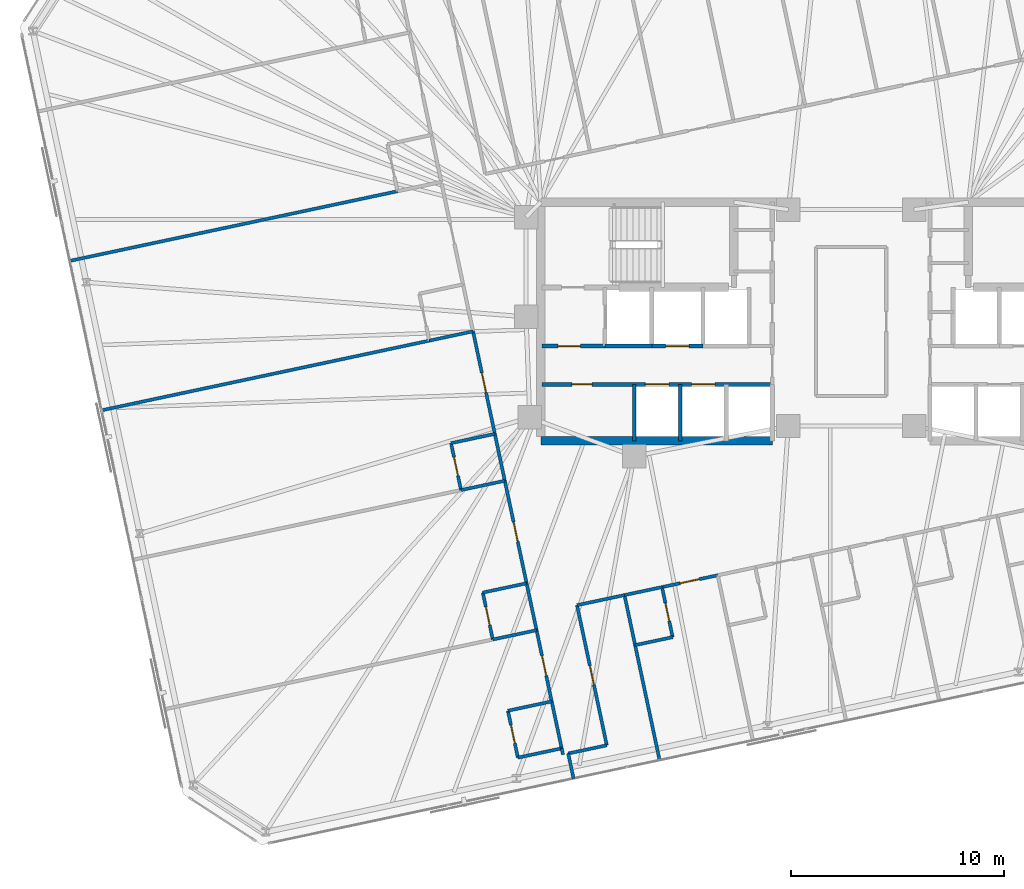
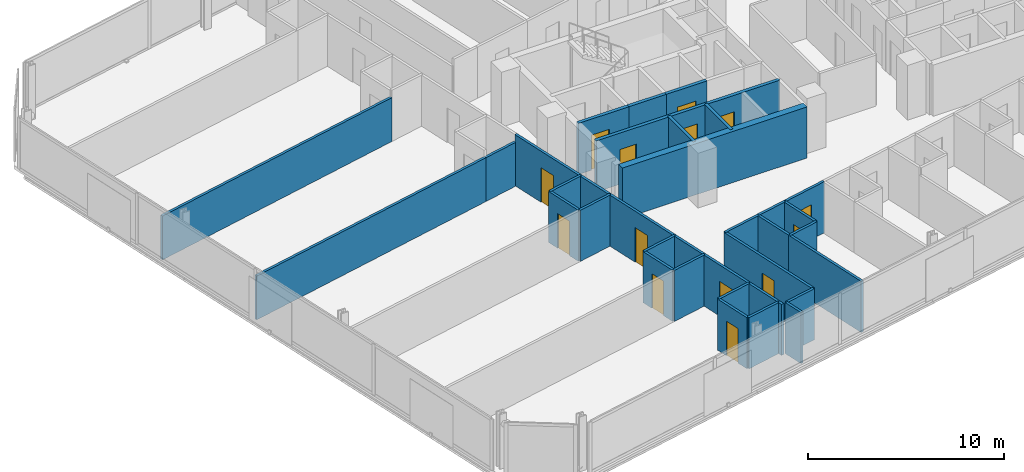
# One storey, part 14 of 21: 36 walls, 14 doors, 14 openings.
"""IFC4 building model written with IfcOpenShell, lengths in metres."""

from ifc_helpers import new_model, si_unit, direction, frame, frame_2d, origin, place, context, subcontext, project, spatial, rectangle, extrude, material, layer, layer_set, type_object, element, fill, save


model = new_model("IFC4")

# Units and contexts
model_context = context("Model", 3, precision=1e-05, world=origin(), true_north=direction((0.0, 1.0)))
body_context = subcontext(model_context, "Body", "Model", "MODEL_VIEW")
ifc_project = project(units=[si_unit("LENGTHUNIT", "METRE"), si_unit("AREAUNIT", "SQUARE_METRE"), si_unit("VOLUMEUNIT", "CUBIC_METRE"), si_unit("PLANEANGLEUNIT", "RADIAN"), si_unit("MASSUNIT", "GRAM", prefix="KILO")], contexts=[model_context])

# Site, building, storey
site_placement = place(None, origin())
site = spatial("IfcSite", under=ifc_project, at=site_placement, CompositionType="ELEMENT")
building_placement = place(site_placement, origin())
building = spatial("IfcBuilding", under=site, at=building_placement, Name="Menara Jurai Vektor", CompositionType="ELEMENT")
storey_placement = place(building_placement, frame((0.0, 0.0, 188.800048828125)))
storey = spatial("IfcBuildingStorey", under=building, at=storey_placement, Name="L49", CompositionType="ELEMENT", Elevation=188.800048828125)

# Wall, opening, door
ifc_material_1 = material(Name="Concrete C40/50", Category="concrete")
ifc_layer_1 = layer(ifc_material_1, 0.25)
ifc_layer_set_1 = layer_set([ifc_layer_1], Name="Concrete C40/50")
wall_type_1 = type_object("IfcWallType", Name="INT-WALL-CORE-250", PredefinedType="STANDARD", material=ifc_layer_set_1)
wall_1_placement = place(storey_placement, frame((-14.5, -1.14990234375, 0.0), z_axis=(0.0, 0.0, 1.0), x_axis=(1.0, 0.0, 0.0)))
wall_1 = element("IfcWall", 1, at=wall_1_placement, inside=storey, type_object=wall_type_1, Name="Interior Wall IW-250 L49", PredefinedType="STANDARD", context=body_context, shape_type="SweptSolid", body=[
    extrude(rectangle(XDim=2.949951171875, YDim=0.199951171875, at=frame_2d((1.47509765625, 0.0))), origin(), (0.0, 0.0, 1.0), 3.175048828125),
])
opening_1_placement = place(wall_1_placement, frame((0.75, 0.0, 0.0)))
opening_1 = element("IfcOpeningElement", 2, at=opening_1_placement, cuts=wall_1, Name="Opening D-L49-FFW", PredefinedType="OPENING", context=body_context, shape_type="SweptSolid", body=[
    extrude(rectangle(XDim=1.050048828125, YDim=2.179931640625, at=frame_2d((0.52490234375, 1.08984375))), frame((0.0, 0.10986328125, 0.0), z_axis=(0.0, -1.0, 0.0), x_axis=(1.0, 0.0, 0.0)), (0.0, 0.0, 1.0), 0.219970703125),
])
ifc_material_2 = material(Name="Fire-Rated Timber Door", Category="wood")
door_type_1 = type_object("IfcDoorType", Name="DR-LOBBY-1050", OperationType="NOTDEFINED", PredefinedType="DOOR", material=ifc_material_2)
door_1_placement = place(opening_1_placement, origin())
door_1 = element("IfcDoor", 3, at=door_1_placement, inside=storey, type_object=door_type_1, Name="Fire Lift Lobby Door W L49", OperationType="SINGLE_SWING_RIGHT", OverallHeight=2.179931640625, OverallWidth=1.050048828125, PredefinedType="DOOR", context=body_context, shape_type="SweptSolid", body=[
    extrude(rectangle(XDim=1.050048828125, YDim=2.179931640625, at=frame_2d((0.52490234375, 1.08984375))), frame((0.0, 0.02490234375, 0.0), z_axis=(0.0, -1.0, 0.0), x_axis=(1.0, 0.0, 0.0)), (0.0, 0.0, 1.0), 0.050048828125),
])
fill(opening_1, door_1)

# Walls
wall_2_placement = place(storey_placement, frame((-11.550048828125, -1.14990234375, 0.0), z_axis=(0.0, 0.0, 1.0), x_axis=(1.0, 0.0, 0.0)))
element("IfcWall", 4, at=wall_2_placement, inside=storey, type_object=wall_type_1, Name="Interior Wall IW-250 L49", PredefinedType="STANDARD", context=body_context, shape_type="SweptSolid", body=[
    extrude(rectangle(XDim=2.199951171875, YDim=0.199951171875, at=frame_2d((1.10009765625, 0.0))), origin(), (0.0, 0.0, 1.0), 3.175048828125),
])
ifc_material_3 = material(Name="Gypsum Fireboard Partition", Category="gypsum")
ifc_layer_2 = layer(ifc_material_3, 0.14990234375)
ifc_layer_set_2 = layer_set([ifc_layer_2], Name="Gypsum Fireboard Partition")
wall_type_2 = type_object("IfcWallType", Name="INT-WALL-CORR-150", PredefinedType="PARTITIONING", material=ifc_layer_set_2)
wall_3_placement = place(storey_placement, frame((-13.274169921875, -20.264892578125, 0.0), z_axis=(0.0, 0.0, 1.0), x_axis=(0.978160192495, 0.207852442415, 0.0)))
element("IfcWall", 5, at=wall_3_placement, inside=storey, type_object=wall_type_2, Name="Interior Wall IW-150 L49", PredefinedType="PARTITIONING", context=body_context, shape_type="SweptSolid", body=[
    extrude(rectangle(XDim=1.849853515625, YDim=0.14990234375, at=frame_2d((0.9248046875, 0.0))), origin(), (0.0, 0.0, 1.0), 3.175048828125),
])

# Wall, opening, door
wall_4_placement = place(storey_placement, frame((-11.464599609375, -19.88037109375, 0.0), z_axis=(0.0, 0.0, 1.0), x_axis=(-0.207916109912, 0.978146661416, 0.0)))
wall_4 = element("IfcWall", 6, at=wall_4_placement, inside=storey, type_object=wall_type_2, Name="Interior Wall IW-150 L49", PredefinedType="PARTITIONING", context=body_context, shape_type="SweptSolid", body=[
    extrude(rectangle(XDim=6.72021484375, YDim=0.14990234375, at=frame_2d((3.360107421875, 0.0))), origin(), (0.0, 0.0, 1.0), 3.175048828125),
])
opening_2_placement = place(wall_4_placement, frame((2.89990234375, 0.0, 0.0)))
opening_2 = element("IfcOpeningElement", 7, at=opening_2_placement, cuts=wall_4, Name="Opening D49-19", PredefinedType="OPENING", context=body_context, shape_type="SweptSolid", body=[
    extrude(rectangle(XDim=0.919921875, YDim=2.14990234375, at=frame_2d((0.4599609375, 1.074951171875))), frame((0.0, 0.0849609375, 0.0), z_axis=(0.0, -1.0, 0.0), x_axis=(1.0, 0.0, 0.0)), (0.0, 0.0, 1.0), 0.169921875),
])
ifc_material_4 = material(Name="Solid Core Timber Fire Door", Category="wood")
door_type_2 = type_object("IfcDoorType", Name="DR-ENTRY-950", OperationType="NOTDEFINED", PredefinedType="DOOR", material=ifc_material_4)
door_2_placement = place(opening_2_placement, origin())
door_2 = element("IfcDoor", 8, at=door_2_placement, inside=storey, type_object=door_type_2, Name="Interior Door D49-19", OperationType="SINGLE_SWING_RIGHT", OverallHeight=2.14990234375, OverallWidth=0.919921875, PredefinedType="DOOR", context=body_context, shape_type="SweptSolid", body=[
    extrude(rectangle(XDim=0.919921875, YDim=2.14990234375, at=frame_2d((0.4599609375, 1.074951171875))), frame((0.0, 0.02490234375, 0.0), z_axis=(0.0, -1.0, 0.0), x_axis=(1.0, 0.0, 0.0)), (0.0, 0.0, 1.0), 0.050048828125),
])
fill(opening_2, door_2)

# Wall
wall_5_placement = place(storey_placement, frame((-12.86181640625, -13.30712890625, 0.0), z_axis=(0.0, 0.0, 1.0), x_axis=(0.978150947903, 0.207895943, 0.0)))
element("IfcWall", 9, at=wall_5_placement, inside=storey, type_object=wall_type_2, Name="Interior Wall IW-150 L49", PredefinedType="PARTITIONING", context=body_context, shape_type="SweptSolid", body=[
    extrude(rectangle(XDim=2.277099609375, YDim=0.14990234375, at=frame_2d((1.138671875, 0.0))), origin(), (0.0, 0.0, 1.0), 3.175048828125),
])

# Wall, opening, door
wall_6_placement = place(storey_placement, frame((-8.873779296875, -12.45947265625, 0.0), z_axis=(0.0, 0.0, 1.0), x_axis=(0.978136784457, 0.207962570894, 0.0)))
wall_6 = element("IfcWall", 10, at=wall_6_placement, inside=storey, type_object=wall_type_2, Name="Interior Wall IW-150 L49", PredefinedType="PARTITIONING", context=body_context, shape_type="SweptSolid", body=[
    extrude(rectangle(XDim=2.671875, YDim=0.14990234375, at=frame_2d((1.3359375, 0.0))), origin(), (0.0, 0.0, 1.0), 3.175048828125),
])
opening_3_placement = place(wall_6_placement, frame((0.8759765625, 0.0, 0.0)))
opening_3 = element("IfcOpeningElement", 11, at=opening_3_placement, cuts=wall_6, Name="Opening D49-20", PredefinedType="OPENING", context=body_context, shape_type="SweptSolid", body=[
    extrude(rectangle(XDim=0.919921875, YDim=2.14990234375, at=frame_2d((0.4599609375, 1.074951171875))), frame((0.0, 0.0849609375, 0.0), z_axis=(0.0, -1.0, 0.0), x_axis=(1.0, 0.0, 0.0)), (0.0, 0.0, 1.0), 0.169921875),
])
door_3_placement = place(opening_3_placement, origin())
door_3 = element("IfcDoor", 12, at=door_3_placement, inside=storey, type_object=door_type_2, Name="Interior Door D49-20", OperationType="SINGLE_SWING_LEFT", OverallHeight=2.14990234375, OverallWidth=0.919921875, PredefinedType="DOOR", context=body_context, shape_type="SweptSolid", body=[
    extrude(rectangle(XDim=0.919921875, YDim=2.14990234375, at=frame_2d((0.4599609375, 1.074951171875))), frame((0.0, 0.02490234375, 0.0), z_axis=(0.0, -1.0, 0.0), x_axis=(1.0, 0.0, 0.0)), (0.0, 0.0, 1.0), 0.050048828125),
])
fill(opening_3, door_3)

# Walls
wall_7_placement = place(storey_placement, frame((-10.634521484375, -12.833740234375, 0.0), z_axis=(0.0, 0.0, 1.0), x_axis=(0.978146440129, 0.207917150959, 0.0)))
element("IfcWall", 13, at=wall_7_placement, inside=storey, type_object=wall_type_2, Name="Interior Wall IW-150 L49", PredefinedType="PARTITIONING", context=body_context, shape_type="SweptSolid", body=[
    extrude(rectangle(XDim=1.800048828125, YDim=0.14990234375, at=frame_2d((0.89990234375, 0.0))), origin(), (0.0, 0.0, 1.0), 3.175048828125),
])
wall_8_placement = place(storey_placement, frame((-13.518798828125, -20.31689453125, 0.0), z_axis=(0.0, 0.0, 1.0), x_axis=(-0.207527808066, 0.978229118806, 0.0)))
element("IfcWall", 14, at=wall_8_placement, inside=storey, type_object=wall_type_2, Name="Interior Wall IW-150 L49", PredefinedType="PARTITIONING", context=body_context, shape_type="SweptSolid", body=[
    extrude(rectangle(XDim=0.300048828125, YDim=0.14990234375, at=frame_2d((0.14990234375, 0.0))), origin(), (0.0, 0.0, 1.0), 3.175048828125),
])

# Wall, opening, door
wall_9_placement = place(storey_placement, frame((-14.048828125, -17.822509765625, 0.0), z_axis=(0.0, 0.0, 1.0), x_axis=(-0.207918572776, 0.978146137903, 0.0)))
wall_9 = element("IfcWall", 15, at=wall_9_placement, inside=storey, type_object=wall_type_2, Name="Interior Wall IW-150 L49", PredefinedType="PARTITIONING", context=body_context, shape_type="SweptSolid", body=[
    extrude(rectangle(XDim=3.4169921875, YDim=0.14990234375, at=frame_2d((1.70849609375, 0.0))), origin(), (0.0, 0.0, 1.0), 3.175048828125),
])
opening_4_placement = place(wall_9_placement, frame((1.2333984375, 0.0, 0.0)))
opening_4 = element("IfcOpeningElement", 16, at=opening_4_placement, cuts=wall_9, Name="Opening D49-32", PredefinedType="OPENING", context=body_context, shape_type="SweptSolid", body=[
    extrude(rectangle(XDim=0.949951171875, YDim=2.14990234375, at=frame_2d((0.47509765625, 1.074951171875))), frame((0.0, 0.0849609375, 0.0), z_axis=(0.0, -1.0, 0.0), x_axis=(1.0, 0.0, 0.0)), (0.0, 0.0, 1.0), 0.169921875),
])
door_4_placement = place(opening_4_placement, origin())
door_4 = element("IfcDoor", 17, at=door_4_placement, inside=storey, type_object=door_type_2, Name="Interior Door D49-32", OperationType="SINGLE_SWING_LEFT", OverallHeight=2.14990234375, OverallWidth=0.949951171875, PredefinedType="DOOR", context=body_context, shape_type="SweptSolid", body=[
    extrude(rectangle(XDim=0.949951171875, YDim=2.14990234375, at=frame_2d((0.47509765625, 1.074951171875))), frame((0.0, 0.02490234375, 0.0), z_axis=(0.0, -1.0, 0.0), x_axis=(1.0, 0.0, 0.0)), (0.0, 0.0, 1.0), 0.050048828125),
])
fill(opening_4, door_4)

# Wall
wall_10_placement = place(storey_placement, frame((-13.5810546875, -20.0234375, 0.0), z_axis=(0.0, 0.0, 1.0), x_axis=(-0.207891197838, 0.978151956427, 0.0)))
element("IfcWall", 18, at=wall_10_placement, inside=storey, type_object=wall_type_2, Name="Interior Wall IW-150 L49", PredefinedType="PARTITIONING", context=body_context, shape_type="SweptSolid", body=[
    extrude(rectangle(XDim=2.25, YDim=0.14990234375, at=frame_2d((1.125, 0.0))), origin(), (0.0, 0.0, 1.0), 3.175048828125),
])

# Wall, opening, door
wall_11_placement = place(storey_placement, frame((-15.22705078125, -12.279296875, 0.0), z_axis=(0.0, 0.0, 1.0), x_axis=(-0.20794488256, 0.978140545023, 0.0)))
wall_11 = element("IfcWall", 19, at=wall_11_placement, inside=storey, type_object=wall_type_2, Name="Interior Wall IW-150 L49", PredefinedType="PARTITIONING", context=body_context, shape_type="SweptSolid", body=[
    extrude(rectangle(XDim=4.915771484375, YDim=0.14990234375, at=frame_2d((2.4580078125, 0.0))), origin(), (0.0, 0.0, 1.0), 3.175048828125),
])
opening_5_placement = place(wall_11_placement, frame((1.98291015625, 0.0, 0.0)))
opening_5 = element("IfcOpeningElement", 20, at=opening_5_placement, cuts=wall_11, Name="Opening D49-34", PredefinedType="OPENING", context=body_context, shape_type="SweptSolid", body=[
    extrude(rectangle(XDim=0.949951171875, YDim=2.14990234375, at=frame_2d((0.47509765625, 1.074951171875))), frame((0.0, 0.0849609375, 0.0), z_axis=(0.0, -1.0, 0.0), x_axis=(1.0, 0.0, 0.0)), (0.0, 0.0, 1.0), 0.169921875),
])
door_5_placement = place(opening_5_placement, origin())
door_5 = element("IfcDoor", 21, at=door_5_placement, inside=storey, type_object=door_type_2, Name="Interior Door D49-34", OperationType="SINGLE_SWING_LEFT", OverallHeight=2.14990234375, OverallWidth=0.949951171875, PredefinedType="DOOR", context=body_context, shape_type="SweptSolid", body=[
    extrude(rectangle(XDim=0.949951171875, YDim=2.14990234375, at=frame_2d((0.47509765625, 1.074951171875))), frame((0.0, 0.02490234375, 0.0), z_axis=(0.0, -1.0, 0.0), x_axis=(1.0, 0.0, 0.0)), (0.0, 0.0, 1.0), 0.050048828125),
])
fill(opening_5, door_5)

# Wall
wall_12_placement = place(storey_placement, frame((-14.75927734375, -14.480224609375, 0.0), z_axis=(0.0, 0.0, 1.0), x_axis=(-0.207891197838, 0.978151956427, 0.0)))
element("IfcWall", 22, at=wall_12_placement, inside=storey, type_object=wall_type_2, Name="Interior Wall IW-150 L49", PredefinedType="PARTITIONING", context=body_context, shape_type="SweptSolid", body=[
    extrude(rectangle(XDim=2.25, YDim=0.14990234375, at=frame_2d((1.125, 0.0))), origin(), (0.0, 0.0, 1.0), 3.175048828125),
])

# Wall, opening, door
wall_13_placement = place(storey_placement, frame((-16.717041015625, -5.27001953125, 0.0), z_axis=(0.0, 0.0, 1.0), x_axis=(-0.207894386012, 0.978151278824, 0.0)))
wall_13 = element("IfcWall", 23, at=wall_13_placement, inside=storey, type_object=wall_type_2, Name="Interior Wall IW-150 L49", PredefinedType="PARTITIONING", context=body_context, shape_type="SweptSolid", body=[
    extrude(rectangle(XDim=4.9169921875, YDim=0.14990234375, at=frame_2d((2.45849609375, 0.0))), origin(), (0.0, 0.0, 1.0), 3.175048828125),
])
opening_6_placement = place(wall_13_placement, frame((1.9833984375, 0.0, 0.0)))
opening_6 = element("IfcOpeningElement", 24, at=opening_6_placement, cuts=wall_13, Name="Opening D49-36", PredefinedType="OPENING", context=body_context, shape_type="SweptSolid", body=[
    extrude(rectangle(XDim=0.949951171875, YDim=2.14990234375, at=frame_2d((0.47509765625, 1.074951171875))), frame((0.0, 0.0849609375, 0.0), z_axis=(0.0, -1.0, 0.0), x_axis=(1.0, 0.0, 0.0)), (0.0, 0.0, 1.0), 0.169921875),
])
door_6_placement = place(opening_6_placement, origin())
door_6 = element("IfcDoor", 25, at=door_6_placement, inside=storey, type_object=door_type_2, Name="Interior Door D49-36", OperationType="SINGLE_SWING_LEFT", OverallHeight=2.14990234375, OverallWidth=0.949951171875, PredefinedType="DOOR", context=body_context, shape_type="SweptSolid", body=[
    extrude(rectangle(XDim=0.949951171875, YDim=2.14990234375, at=frame_2d((0.47509765625, 1.074951171875))), frame((0.0, 0.02490234375, 0.0), z_axis=(0.0, -1.0, 0.0), x_axis=(1.0, 0.0, 0.0)), (0.0, 0.0, 1.0), 0.050048828125),
])
fill(opening_6, door_6)

# Walls
wall_14_placement = place(storey_placement, frame((-16.249267578125, -7.470947265625, 0.0), z_axis=(0.0, 0.0, 1.0), x_axis=(-0.207891197838, 0.978151956427, 0.0)))
element("IfcWall", 26, at=wall_14_placement, inside=storey, type_object=wall_type_2, Name="Interior Wall IW-150 L49", PredefinedType="PARTITIONING", context=body_context, shape_type="SweptSolid", body=[
    extrude(rectangle(XDim=2.25, YDim=0.14990234375, at=frame_2d((1.125, 0.0))), origin(), (0.0, 0.0, 1.0), 3.175048828125),
])
wall_15_placement = place(storey_placement, frame((-8.98779296875, -20.58056640625, 0.0), z_axis=(0.0, 0.0, 1.0), x_axis=(-0.20791588359, 0.978146709523, 0.0)))
element("IfcWall", 27, at=wall_15_placement, inside=storey, type_object=wall_type_2, Name="Interior Wall IW-150 L49", PredefinedType="PARTITIONING", context=body_context, shape_type="SweptSolid", body=[
    extrude(rectangle(XDim=5.52001953125, YDim=0.14990234375, at=frame_2d((2.760009765625, 0.0))), origin(), (0.0, 0.0, 1.0), 3.175048828125),
])
wall_16_placement = place(storey_placement, frame((-10.135498046875, -15.18115234375, 0.0), z_axis=(0.0, 0.0, 1.0), x_axis=(-0.207937840262, 0.978142042133, 0.0)))
element("IfcWall", 28, at=wall_16_placement, inside=storey, type_object=wall_type_2, Name="Interior Wall IW-150 L49", PredefinedType="PARTITIONING", context=body_context, shape_type="SweptSolid", body=[
    extrude(rectangle(XDim=2.39990234375, YDim=0.14990234375, at=frame_2d((1.199951171875, 0.0))), origin(), (0.0, 0.0, 1.0), 3.175048828125),
])
wall_17_placement = place(storey_placement, frame((-13.024658203125, -21.438720703125, 0.0), z_axis=(0.0, 0.0, 1.0), x_axis=(-0.207917150959, 0.978146440129, 0.0)))
element("IfcWall", 29, at=wall_17_placement, inside=storey, type_object=wall_type_2, Name="Interior Wall IW-150 L49", PredefinedType="PARTITIONING", context=body_context, shape_type="SweptSolid", body=[
    extrude(rectangle(XDim=1.199951171875, YDim=0.14990234375, at=frame_2d((0.60009765625, 0.0))), origin(), (0.0, 0.0, 1.0), 3.175048828125),
])
wall_18_placement = place(storey_placement, frame((-10.135498046875, -15.18115234375, 0.0), z_axis=(0.0, 0.0, 1.0), x_axis=(0.978140575842, 0.207944737591, 0.0)))
element("IfcWall", 30, at=wall_18_placement, inside=storey, type_object=wall_type_2, Name="Interior Wall IW-150 L49", PredefinedType="PARTITIONING", context=body_context, shape_type="SweptSolid", body=[
    extrude(rectangle(XDim=1.7998046875, YDim=0.14990234375, at=frame_2d((0.89990234375, 0.0))), origin(), (0.0, 0.0, 1.0), 3.175048828125),
])

# Wall, opening, door
wall_19_placement = place(storey_placement, frame((-8.375, -14.806884765625, 0.0), z_axis=(0.0, 0.0, 1.0), x_axis=(-0.207840504985, 0.978162729042, 0.0)))
wall_19 = element("IfcWall", 31, at=wall_19_placement, inside=storey, type_object=wall_type_2, Name="Interior Wall IW-150 L49", PredefinedType="PARTITIONING", context=body_context, shape_type="SweptSolid", body=[
    extrude(rectangle(XDim=2.39990234375, YDim=0.14990234375, at=frame_2d((1.199951171875, 0.0))), origin(), (0.0, 0.0, 1.0), 3.175048828125),
])
opening_7_placement = place(wall_19_placement, frame((0.760009765625, 0.0, 0.0)))
opening_7 = element("IfcOpeningElement", 32, at=opening_7_placement, cuts=wall_19, Name="Opening D49-21", PredefinedType="OPENING", context=body_context, shape_type="SweptSolid", body=[
    extrude(rectangle(XDim=0.8798828125, YDim=2.14990234375, at=frame_2d((0.43994140625, 1.074951171875))), frame((0.0, 0.0849609375, 0.0), z_axis=(0.0, -1.0, 0.0), x_axis=(1.0, 0.0, 0.0)), (0.0, 0.0, 1.0), 0.169921875),
])
ifc_material_5 = material(Name="Moisture-Resistant Timber Door", Category="wood")
door_type_3 = type_object("IfcDoorType", Name="DR-BATH-880", OperationType="NOTDEFINED", PredefinedType="DOOR", material=ifc_material_5)
door_7_placement = place(opening_7_placement, origin())
door_7 = element("IfcDoor", 33, at=door_7_placement, inside=storey, type_object=door_type_3, Name="Interior Door D49-21", OperationType="SINGLE_SWING_RIGHT", OverallHeight=2.14990234375, OverallWidth=0.8798828125, PredefinedType="DOOR", context=body_context, shape_type="SweptSolid", body=[
    extrude(rectangle(XDim=0.8798828125, YDim=2.14990234375, at=frame_2d((0.43994140625, 1.074951171875))), frame((0.0, 0.02490234375, 0.0), z_axis=(0.0, -1.0, 0.0), x_axis=(1.0, 0.0, 0.0)), (0.0, 0.0, 1.0), 0.050048828125),
])
fill(opening_7, door_7)

wall_20_placement = place(storey_placement, frame((-15.63525390625, -20.4599609375, 0.0), z_axis=(0.0, 0.0, 1.0), x_axis=(-0.207913264065, 0.978147266328, 0.0)))
wall_20 = element("IfcWall", 34, at=wall_20_placement, inside=storey, type_object=wall_type_2, Name="Interior Wall IW-150 L49", PredefinedType="PARTITIONING", context=body_context, shape_type="SweptSolid", body=[
    extrude(rectangle(XDim=2.249755859375, YDim=0.14990234375, at=frame_2d((1.125, 0.0))), origin(), (0.0, 0.0, 1.0), 3.175048828125),
])
opening_8_placement = place(wall_20_placement, frame((0.68505859375, 0.0, 0.0)))
opening_8 = element("IfcOpeningElement", 35, at=opening_8_placement, cuts=wall_20, Name="Opening D49-33", PredefinedType="OPENING", context=body_context, shape_type="SweptSolid", body=[
    extrude(rectangle(XDim=0.8798828125, YDim=2.14990234375, at=frame_2d((0.43994140625, 1.074951171875))), frame((0.0, 0.0849609375, 0.0), z_axis=(0.0, -1.0, 0.0), x_axis=(1.0, 0.0, 0.0)), (0.0, 0.0, 1.0), 0.169921875),
])
door_8_placement = place(opening_8_placement, origin())
door_8 = element("IfcDoor", 36, at=door_8_placement, inside=storey, type_object=door_type_3, Name="Interior Door D49-33", OperationType="SINGLE_SWING_RIGHT", OverallHeight=2.14990234375, OverallWidth=0.8798828125, PredefinedType="DOOR", context=body_context, shape_type="SweptSolid", body=[
    extrude(rectangle(XDim=0.8798828125, YDim=2.14990234375, at=frame_2d((0.43994140625, 1.074951171875))), frame((0.0, 0.02490234375, 0.0), z_axis=(0.0, -1.0, 0.0), x_axis=(1.0, 0.0, 0.0)), (0.0, 0.0, 1.0), 0.050048828125),
])
fill(opening_8, door_8)

# Walls
for number, where, z_axis, x_axis, name in (
    (37, (-15.63525390625, -20.4599609375, 0.0), (0.0, 0.0, 1.0), (0.97815826, 0.207861536591, 0.0), "Interior Wall IW-150 L49"),
    (38, (-16.10302734375, -18.25927734375, 0.0), (0.0, 0.0, 1.0), (0.978134617382, 0.207972763311, 0.0), "Interior Wall IW-150 L49"),
    (39, (-16.8134765625, -14.9169921875, 0.0), (0.0, 0.0, 1.0), (0.978134617382, 0.207972763311, 0.0), "Interior Wall IW-150 L49"),
):
    element("IfcWall", number, at=place(storey_placement, frame(where, z_axis=z_axis, x_axis=x_axis)), inside=storey, type_object=wall_type_2, Name=name, PredefinedType="PARTITIONING", context=body_context, shape_type="SweptSolid", body=[
        extrude(rectangle(XDim=2.10009765625, YDim=0.14990234375, at=frame_2d((1.050048828125, 0.0))), origin(), (0.0, 0.0, 1.0), 3.175048828125),
    ])

# Wall, opening, door
wall_21_placement = place(storey_placement, frame((-16.8134765625, -14.9169921875, 0.0), z_axis=(0.0, 0.0, 1.0), x_axis=(-0.207891197838, 0.978151956427, 0.0)))
wall_21 = element("IfcWall", 40, at=wall_21_placement, inside=storey, type_object=wall_type_2, Name="Interior Wall IW-150 L49", PredefinedType="PARTITIONING", context=body_context, shape_type="SweptSolid", body=[
    extrude(rectangle(XDim=2.25, YDim=0.14990234375, at=frame_2d((1.125, 0.0))), origin(), (0.0, 0.0, 1.0), 3.175048828125),
])
opening_9_placement = place(wall_21_placement, frame((0.68505859375, 0.0, 0.0)))
opening_9 = element("IfcOpeningElement", 41, at=opening_9_placement, cuts=wall_21, Name="Opening D49-35", PredefinedType="OPENING", context=body_context, shape_type="SweptSolid", body=[
    extrude(rectangle(XDim=0.8798828125, YDim=2.14990234375, at=frame_2d((0.43994140625, 1.074951171875))), frame((0.0, 0.0849609375, 0.0), z_axis=(0.0, -1.0, 0.0), x_axis=(1.0, 0.0, 0.0)), (0.0, 0.0, 1.0), 0.169921875),
])
door_9_placement = place(opening_9_placement, origin())
door_9 = element("IfcDoor", 42, at=door_9_placement, inside=storey, type_object=door_type_3, Name="Interior Door D49-35", OperationType="SINGLE_SWING_RIGHT", OverallHeight=2.14990234375, OverallWidth=0.8798828125, PredefinedType="DOOR", context=body_context, shape_type="SweptSolid", body=[
    extrude(rectangle(XDim=0.8798828125, YDim=2.14990234375, at=frame_2d((0.43994140625, 1.074951171875))), frame((0.0, 0.02490234375, 0.0), z_axis=(0.0, -1.0, 0.0), x_axis=(1.0, 0.0, 0.0)), (0.0, 0.0, 1.0), 0.050048828125),
])
fill(opening_9, door_9)

# Walls
wall_22_placement = place(storey_placement, frame((-17.28125, -12.716064453125, 0.0), z_axis=(0.0, 0.0, 1.0), x_axis=(0.978134617382, 0.207972763311, 0.0)))
element("IfcWall", 43, at=wall_22_placement, inside=storey, type_object=wall_type_2, Name="Interior Wall IW-150 L49", PredefinedType="PARTITIONING", context=body_context, shape_type="SweptSolid", body=[
    extrude(rectangle(XDim=2.10009765625, YDim=0.14990234375, at=frame_2d((1.050048828125, 0.0))), origin(), (0.0, 0.0, 1.0), 3.175048828125),
])
wall_23_placement = place(storey_placement, frame((-18.30322265625, -7.907470703125, 0.0), z_axis=(0.0, 0.0, 1.0), x_axis=(0.978153236239, 0.207885176084, 0.0)))
element("IfcWall", 44, at=wall_23_placement, inside=storey, type_object=wall_type_2, Name="Interior Wall IW-150 L49", PredefinedType="PARTITIONING", context=body_context, shape_type="SweptSolid", body=[
    extrude(rectangle(XDim=2.099853515625, YDim=0.14990234375, at=frame_2d((1.0498046875, 0.0))), origin(), (0.0, 0.0, 1.0), 3.175048828125),
])

# Wall, opening, door
wall_24_placement = place(storey_placement, frame((-18.30322265625, -7.907470703125, 0.0), z_axis=(0.0, 0.0, 1.0), x_axis=(-0.207891197838, 0.978151956427, 0.0)))
wall_24 = element("IfcWall", 45, at=wall_24_placement, inside=storey, type_object=wall_type_2, Name="Interior Wall IW-150 L49", PredefinedType="PARTITIONING", context=body_context, shape_type="SweptSolid", body=[
    extrude(rectangle(XDim=2.25, YDim=0.14990234375, at=frame_2d((1.125, 0.0))), origin(), (0.0, 0.0, 1.0), 3.175048828125),
])
opening_10_placement = place(wall_24_placement, frame((0.68505859375, 0.0, 0.0)))
opening_10 = element("IfcOpeningElement", 46, at=opening_10_placement, cuts=wall_24, Name="Opening D49-37", PredefinedType="OPENING", context=body_context, shape_type="SweptSolid", body=[
    extrude(rectangle(XDim=0.8798828125, YDim=2.14990234375, at=frame_2d((0.43994140625, 1.074951171875))), frame((0.0, 0.0849609375, 0.0), z_axis=(0.0, -1.0, 0.0), x_axis=(1.0, 0.0, 0.0)), (0.0, 0.0, 1.0), 0.169921875),
])
door_10_placement = place(opening_10_placement, origin())
door_10 = element("IfcDoor", 47, at=door_10_placement, inside=storey, type_object=door_type_3, Name="Interior Door D49-37", OperationType="SINGLE_SWING_RIGHT", OverallHeight=2.14990234375, OverallWidth=0.8798828125, PredefinedType="DOOR", context=body_context, shape_type="SweptSolid", body=[
    extrude(rectangle(XDim=0.8798828125, YDim=2.14990234375, at=frame_2d((0.43994140625, 1.074951171875))), frame((0.0, 0.02490234375, 0.0), z_axis=(0.0, -1.0, 0.0), x_axis=(1.0, 0.0, 0.0)), (0.0, 0.0, 1.0), 0.050048828125),
])
fill(opening_10, door_10)

# Walls
wall_25_placement = place(storey_placement, frame((-18.77099609375, -5.70654296875, 0.0), z_axis=(0.0, 0.0, 1.0), x_axis=(0.978153236239, 0.207885176084, 0.0)))
element("IfcWall", 48, at=wall_25_placement, inside=storey, type_object=wall_type_2, Name="Interior Wall IW-150 L49", PredefinedType="PARTITIONING", context=body_context, shape_type="SweptSolid", body=[
    extrude(rectangle(XDim=2.099853515625, YDim=0.14990234375, at=frame_2d((1.0498046875, 0.0))), origin(), (0.0, 0.0, 1.0), 3.175048828125),
])
ifc_layer_3 = layer(ifc_material_3, 0.14990234375)
ifc_layer_set_3 = layer_set([ifc_layer_3], Name="Gypsum Fireboard Partition")
wall_type_3 = type_object("IfcWallType", Name="INT-WALL-CORR-150-H1", PredefinedType="PARTITIONING", material=ifc_layer_set_3)
wall_26_placement = place(storey_placement, frame((-35.16796875, -4.1650390625, 0.0), z_axis=(0.0, 0.0, 1.0), x_axis=(0.978149296727, 0.207903711638, 0.0)))
element("IfcWall", 49, at=wall_26_placement, inside=storey, type_object=wall_type_3, Name="Interior Wall IW-150 L49", PredefinedType="PARTITIONING", context=body_context, shape_type="SweptSolid", body=[
    extrude(rectangle(XDim=15.718017578125, YDim=0.14990234375, at=frame_2d((7.85888671875, 0.0))), origin(), (0.0, 0.0, 1.0), 2.724853515625),
])
wall_27_placement = place(storey_placement, frame((-19.79345703125, -0.897216796875, 0.0), z_axis=(0.0, 0.0, 1.0), x_axis=(0.978134617382, 0.207972763311, 0.0)))
element("IfcWall", 50, at=wall_27_placement, inside=storey, type_object=wall_type_3, Name="Interior Wall IW-150 L49", PredefinedType="PARTITIONING", context=body_context, shape_type="SweptSolid", body=[
    extrude(rectangle(XDim=2.10009765625, YDim=0.14990234375, at=frame_2d((1.050048828125, 0.0))), origin(), (0.0, 0.0, 1.0), 2.724853515625),
])
wall_28_placement = place(storey_placement, frame((-36.657958984375, 2.84521484375, 0.0), z_axis=(0.0, 0.0, 1.0), x_axis=(0.978146137903, 0.207918572776, 0.0)))
element("IfcWall", 51, at=wall_28_placement, inside=storey, type_object=wall_type_3, Name="Interior Wall IW-150 L49", PredefinedType="PARTITIONING", context=body_context, shape_type="SweptSolid", body=[
    extrude(rectangle(XDim=15.718017578125, YDim=0.14990234375, at=frame_2d((7.85888671875, 0.0))), origin(), (0.0, 0.0, 1.0), 2.724853515625),
])

# Wall, opening, door
ifc_layer_4 = layer(ifc_material_1, 0.199951171875)
ifc_layer_set_4 = layer_set([ifc_layer_4], Name="Concrete C40/50")
wall_type_4 = type_object("IfcWallType", Name="INT-WALL-SHAFT-200", PredefinedType="STANDARD", material=ifc_layer_set_4)
wall_29_placement = place(storey_placement, frame((-9.35009765625, -1.14990234375, 0.0), z_axis=(0.0, 0.0, 1.0), x_axis=(1.0, 0.0, 0.0)))
wall_29 = element("IfcWall", 52, at=wall_29_placement, inside=storey, type_object=wall_type_4, Name="Interior Wall IW-200 L49", PredefinedType="STANDARD", context=body_context, shape_type="SweptSolid", body=[
    extrude(rectangle(XDim=2.400146484375, YDim=0.199951171875, at=frame_2d((1.2001953125, 0.0))), origin(), (0.0, 0.0, 1.0), 3.175048828125),
])
opening_11_placement = place(wall_29_placement, frame((0.64990234375, 0.0, 0.0)))
opening_11 = element("IfcOpeningElement", 53, at=opening_11_placement, cuts=wall_29, Name="Opening LD-L49-SVL1", PredefinedType="OPENING", context=body_context, shape_type="SweptSolid", body=[
    extrude(rectangle(XDim=1.10009765625, YDim=2.14990234375, at=frame_2d((0.550048828125, 1.074951171875))), frame((0.0, 0.10986328125, 0.0), z_axis=(0.0, -1.0, 0.0), x_axis=(1.0, 0.0, 0.0)), (0.0, 0.0, 1.0), 0.219970703125),
])
ifc_material_6 = material(Name="Anodised Stainless Sliding Lift Landing Door", Category="steel")
door_type_4 = type_object("IfcDoorType", Name="DR-LIFT-PASS-1100", OperationType="NOTDEFINED", PredefinedType="DOOR", material=ifc_material_6)
door_11_placement = place(opening_11_placement, origin())
door_11 = element("IfcDoor", 54, at=door_11_placement, inside=storey, type_object=door_type_4, Name="Lift Landing Door SVL1 L49", OperationType="SLIDING_TO_RIGHT", OverallHeight=2.14990234375, OverallWidth=1.10009765625, PredefinedType="DOOR", context=body_context, shape_type="SweptSolid", body=[
    extrude(rectangle(XDim=1.10009765625, YDim=2.14990234375, at=frame_2d((0.550048828125, 1.074951171875))), frame((0.0, 0.02490234375, 0.0), z_axis=(0.0, -1.0, 0.0), x_axis=(1.0, 0.0, 0.0)), (0.0, 0.0, 1.0), 0.050048828125),
])
fill(opening_11, door_11)

# Wall, openings, doors
wall_30_placement = place(storey_placement, frame((-14.5, -2.949951171875, 0.0), z_axis=(0.0, 0.0, 1.0), x_axis=(1.0, 0.0, 0.0)))
wall_30 = element("IfcWall", 55, at=wall_30_placement, inside=storey, type_object=wall_type_4, Name="Interior Wall IW-200 L49", PredefinedType="STANDARD", context=body_context, shape_type="SweptSolid", body=[
    extrude(rectangle(XDim=10.800048828125, YDim=0.199951171875, at=frame_2d((5.39990234375, 0.0))), origin(), (0.0, 0.0, 1.0), 3.175048828125),
])
opening_12_placement = place(wall_30_placement, frame((4.85009765625, 0.0, 0.0)))
opening_12 = element("IfcOpeningElement", 56, at=opening_12_placement, cuts=wall_30, Name="Opening LD-L49-PM1", PredefinedType="OPENING", context=body_context, shape_type="SweptSolid", body=[
    extrude(rectangle(XDim=1.10009765625, YDim=2.14990234375, at=frame_2d((0.550048828125, 1.074951171875))), frame((0.0, 0.10986328125, 0.0), z_axis=(0.0, -1.0, 0.0), x_axis=(1.0, 0.0, 0.0)), (0.0, 0.0, 1.0), 0.219970703125),
])
opening_13_placement = place(wall_30_placement, frame((7.010009765625, 0.0, 0.0)))
opening_13 = element("IfcOpeningElement", 57, at=opening_13_placement, cuts=wall_30, Name="Opening LD-L49-PM2", PredefinedType="OPENING", context=body_context, shape_type="SweptSolid", body=[
    extrude(rectangle(XDim=1.10009765625, YDim=2.14990234375, at=frame_2d((0.550048828125, 1.074951171875))), frame((0.0, 0.10986328125, 0.0), z_axis=(0.0, -1.0, 0.0), x_axis=(1.0, 0.0, 0.0)), (0.0, 0.0, 1.0), 0.219970703125),
])
opening_14_placement = place(wall_30_placement, frame((1.39990234375, 0.0, 0.0)))
opening_14 = element("IfcOpeningElement", 58, at=opening_14_placement, cuts=wall_30, Name="Opening D49-01", PredefinedType="OPENING", context=body_context, shape_type="SweptSolid", body=[
    extrude(rectangle(XDim=0.949951171875, YDim=2.14990234375, at=frame_2d((0.47509765625, 1.074951171875))), frame((0.0, 0.10986328125, 0.0), z_axis=(0.0, -1.0, 0.0), x_axis=(1.0, 0.0, 0.0)), (0.0, 0.0, 1.0), 0.219970703125),
])
door_12_placement = place(opening_14_placement, origin())
door_12 = element("IfcDoor", 59, at=door_12_placement, inside=storey, type_object=door_type_2, Name="Interior Door D49-01", OperationType="SINGLE_SWING_LEFT", OverallHeight=2.14990234375, OverallWidth=0.949951171875, PredefinedType="DOOR", context=body_context, shape_type="SweptSolid", body=[
    extrude(rectangle(XDim=0.949951171875, YDim=2.14990234375, at=frame_2d((0.47509765625, 1.074951171875))), frame((0.0, 0.02490234375, 0.0), z_axis=(0.0, -1.0, 0.0), x_axis=(1.0, 0.0, 0.0)), (0.0, 0.0, 1.0), 0.050048828125),
])
fill(opening_14, door_12)
door_13_placement = place(opening_12_placement, origin())
door_13 = element("IfcDoor", 60, at=door_13_placement, inside=storey, type_object=door_type_4, Name="Lift Landing Door PM1 L49", OperationType="SLIDING_TO_LEFT", OverallHeight=2.14990234375, OverallWidth=1.10009765625, PredefinedType="DOOR", context=body_context, shape_type="SweptSolid", body=[
    extrude(rectangle(XDim=1.10009765625, YDim=2.14990234375, at=frame_2d((0.550048828125, 1.074951171875))), frame((0.0, 0.02490234375, 0.0), z_axis=(0.0, -1.0, 0.0), x_axis=(1.0, 0.0, 0.0)), (0.0, 0.0, 1.0), 0.050048828125),
])
fill(opening_12, door_13)
door_14_placement = place(opening_13_placement, origin())
door_14 = element("IfcDoor", 61, at=door_14_placement, inside=storey, type_object=door_type_4, Name="Lift Landing Door PM2 L49", OperationType="SLIDING_TO_LEFT", OverallHeight=2.14990234375, OverallWidth=1.10009765625, PredefinedType="DOOR", context=body_context, shape_type="SweptSolid", body=[
    extrude(rectangle(XDim=1.10009765625, YDim=2.14990234375, at=frame_2d((0.550048828125, 1.074951171875))), frame((0.0, 0.02490234375, 0.0), z_axis=(0.0, -1.0, 0.0), x_axis=(1.0, 0.0, 0.0)), (0.0, 0.0, 1.0), 0.050048828125),
])
fill(opening_13, door_14)

# Walls
for number, where, z_axis, x_axis, name in (
    (62, (-10.179931640625, -5.60009765625, 0.0), (0.0, 0.0, 1.0), (0.0, 1.0, 0.0), "Interior Wall IW-200 L49"),
    (63, (-8.02001953125, -5.60009765625, 0.0), (0.0, 0.0, 1.0), (0.0, 1.0, 0.0), "Interior Wall IW-200 L49"),
):
    element("IfcWall", number, at=place(storey_placement, frame(where, z_axis=z_axis, x_axis=x_axis)), inside=storey, type_object=wall_type_4, Name=name, PredefinedType="STANDARD", context=body_context, shape_type="SweptSolid", body=[
        extrude(rectangle(XDim=2.650146484375, YDim=0.179931640625, at=frame_2d((1.3251953125, 0.0))), origin(), (0.0, 0.0, 1.0), 3.175048828125),
    ])
ifc_material_7 = material(Name="Concrete C50/60", Category="concrete")
ifc_layer_5 = layer(ifc_material_7, 0.39990234375)
ifc_layer_set_5 = layer_set([ifc_layer_5], Name="Concrete C50/60")
wall_type_5 = type_object("IfcWallType", Name="STR-WALL-CORE400", PredefinedType="SHEAR", material=ifc_layer_set_5)
wall_31_placement = place(storey_placement, frame((-14.56005859375, -5.60009765625, 0.0), z_axis=(0.0, 0.0, 1.0), x_axis=(1.0, 0.0, 0.0)))
element("IfcWall", 64, at=wall_31_placement, inside=storey, type_object=wall_type_5, Name="Core Shear Wall CW-W-S L49", PredefinedType="SHEAR", context=body_context, shape_type="SweptSolid", body=[
    extrude(rectangle(XDim=10.860107421875, YDim=0.39990234375, at=frame_2d((5.43017578125, 0.0))), origin(), (0.0, 0.0, 1.0), 3.175048828125),
])

save(model, "model.ifc")
